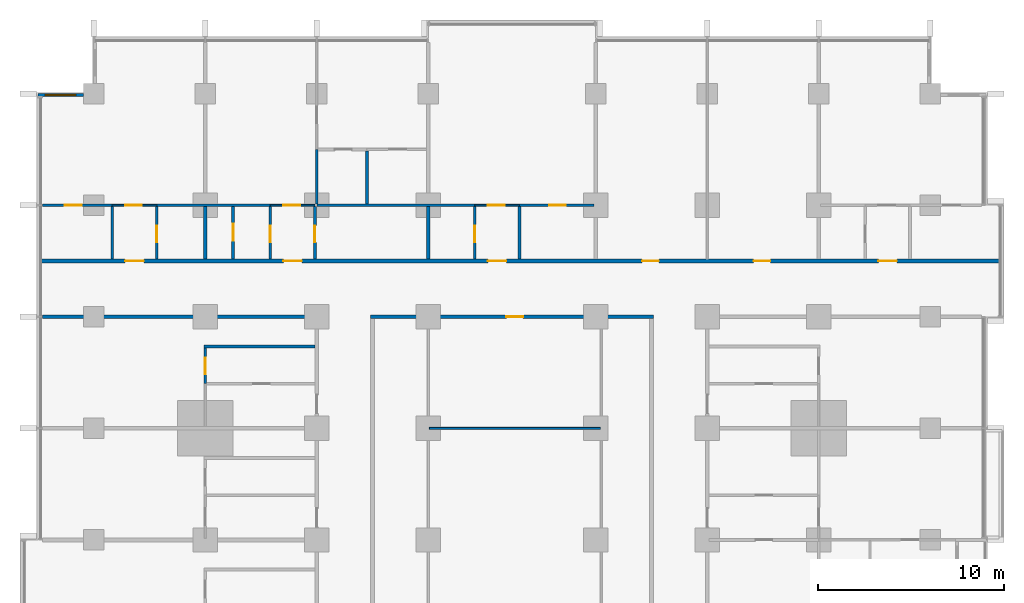
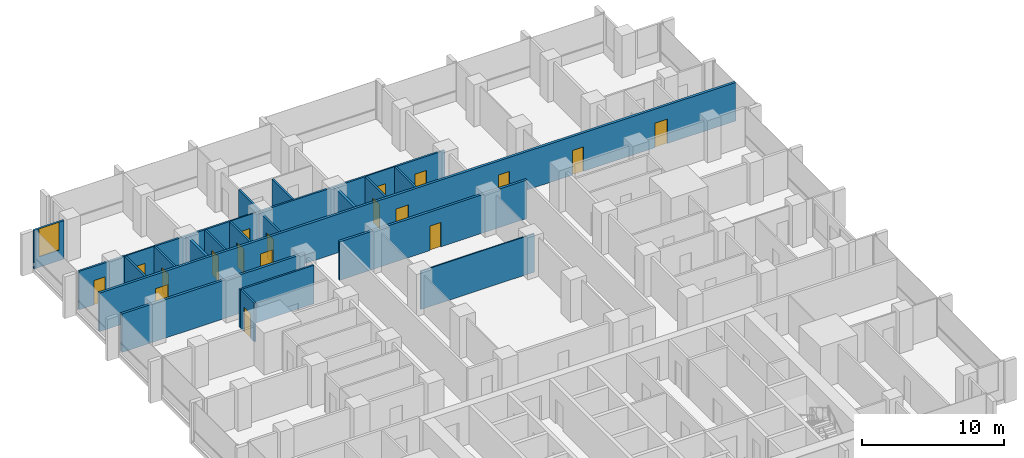
# One storey, part 11 of 17: 25 walls, 18 doors, 1 window, 19 openings.
"""IFC4 building model written with IfcOpenShell, lengths in metres."""

from ifc_helpers import new_model, si_unit, direction, frame, frame_2d, origin, place, context, subcontext, project, spatial, rectangle, extrude, material, layer, layer_set, type_object, element, fill, save


model = new_model("IFC4")

# Units and contexts
model_context = context("Model", 3, precision=1e-05, world=origin(), true_north=direction((0.0, 1.0)))
body_context = subcontext(model_context, "Body", "Model", "MODEL_VIEW")
ifc_project = project(units=[si_unit("LENGTHUNIT", "METRE"), si_unit("AREAUNIT", "SQUARE_METRE"), si_unit("VOLUMEUNIT", "CUBIC_METRE"), si_unit("PLANEANGLEUNIT", "RADIAN"), si_unit("MASSUNIT", "GRAM", prefix="KILO")], contexts=[model_context])

# Site, building, storey
site_placement = place(None, origin())
site = spatial("IfcSite", under=ifc_project, at=site_placement, CompositionType="ELEMENT")
building_placement = place(site_placement, origin())
building = spatial("IfcBuilding", under=site, at=building_placement, Name="Finial Court Residences", CompositionType="ELEMENT")
storey_placement = place(building_placement, frame((0.0, 0.0, 64.89990234375)))
storey = spatial("IfcBuildingStorey", under=building, at=storey_placement, Name="L15", CompositionType="ELEMENT", Elevation=64.89990234375)

# Walls
ifc_material_1 = material(Name="Gypsum board")
ifc_layer_1 = layer(ifc_material_1, 0.02490234375)
ifc_material_2 = material(Name="Acoustic mineral wool in double frame")
ifc_layer_2 = layer(ifc_material_2, 0.14990234375)
ifc_layer_3 = layer(ifc_material_1, 0.02490234375)
ifc_layer_set_1 = layer_set([ifc_layer_1, ifc_layer_2, ifc_layer_3], Name="Acoustic party wall 200, 1 hour")
wall_type_1 = type_object("IfcWallType", Name="Acoustic party wall 200, 1 hour", PredefinedType="PARTITIONING", material=ifc_layer_set_1)
for number, where, z_axis, x_axis, name in (
    (1, (-16.5, 16.60009765625, 0.0), (0.0, 0.0, 1.0), (0.0, 1.0, 0.0), "Partition L15-053"),
    (2, (-4.5, 16.60009765625, 0.0), (0.0, 0.0, 1.0), (0.0, 1.0, 0.0), "Partition L15-069"),
):
    element("IfcWall", number, at=place(storey_placement, frame(where, z_axis=z_axis, x_axis=x_axis)), inside=storey, type_object=wall_type_1, Name=name, PredefinedType="PARTITIONING", context=body_context, shape_type="SweptSolid", body=[
        extrude(rectangle(XDim=2.824951171875, YDim=0.199951171875, at=frame_2d((1.41259765625, 0.0))), origin(), (0.0, 0.0, 1.0), 3.300048828125),
    ])
ifc_layer_4 = layer(ifc_material_1, 0.02490234375)
ifc_layer_5 = layer(ifc_material_2, 0.14990234375)
ifc_layer_6 = layer(ifc_material_1, 0.02490234375)
ifc_layer_set_2 = layer_set([ifc_layer_4, ifc_layer_5, ifc_layer_6], Name="Corridor wall 200, 1 hour")
wall_type_2 = type_object("IfcWallType", Name="Corridor wall 200, 1 hour", PredefinedType="PARTITIONING", material=ifc_layer_set_2)
wall_1_placement = place(storey_placement, frame((-25.25, 13.5, 0.0), z_axis=(0.0, 0.0, 1.0), x_axis=(1.0, 0.0, 0.0)))
element("IfcWall", 3, at=wall_1_placement, inside=storey, type_object=wall_type_2, Name="Partition L15-028", PredefinedType="PARTITIONING", context=body_context, shape_type="SweptSolid", body=[
    extrude(rectangle(XDim=14.85009765625, YDim=0.199951171875, at=frame_2d((7.425048828125, 0.0))), origin(), (0.0, 0.0, 1.0), 3.300048828125),
])

# Wall, opening, door
wall_2_placement = place(storey_placement, frame((-7.60009765625, 13.5, 0.0), z_axis=(0.0, 0.0, 1.0), x_axis=(1.0, 0.0, 0.0)))
wall_2 = element("IfcWall", 4, at=wall_2_placement, inside=storey, type_object=wall_type_2, Name="Partition L15-029", PredefinedType="PARTITIONING", context=body_context, shape_type="SweptSolid", body=[
    extrude(rectangle(XDim=15.2001953125, YDim=0.199951171875, at=frame_2d((7.60009765625, 0.0))), origin(), (0.0, 0.0, 1.0), 3.300048828125),
])
opening_1_placement = place(wall_2_placement, frame((7.300048828125, 0.0, 0.0)))
opening_1 = element("IfcOpeningElement", 5, at=opening_1_placement, cuts=wall_2, Name="Opening L15-D017", PredefinedType="OPENING", context=body_context, shape_type="SweptSolid", body=[
    extrude(rectangle(XDim=0.89990234375, YDim=2.10009765625, at=frame_2d((0.449951171875, 1.050048828125))), frame((0.0, 0.10986328125, 0.0), z_axis=(0.0, -1.0, 0.0), x_axis=(1.0, 0.0, 0.0)), (0.0, 0.0, 1.0), 0.219970703125),
])
ifc_material_3 = material(Name="Timber door leaf in hollow metal frame", Category="wood")
door_type_1 = type_object("IfcDoorType", Name="Fire door set 900 x 2100, 30 minutes", OperationType="SINGLE_SWING_LEFT", PredefinedType="DOOR", material=ifc_material_3)
door_1_placement = place(opening_1_placement, origin())
door_1 = element("IfcDoor", 6, at=door_1_placement, inside=storey, type_object=door_type_1, Name="Door L15-D017", OperationType="SINGLE_SWING_RIGHT", OverallHeight=2.10009765625, OverallWidth=0.89990234375, PredefinedType="DOOR", context=body_context, shape_type="SweptSolid", body=[
    extrude(rectangle(XDim=0.89990234375, YDim=2.10009765625, at=frame_2d((0.449951171875, 1.050048828125))), frame((0.0, 0.02490234375, 0.0), z_axis=(0.0, -1.0, 0.0), x_axis=(1.0, 0.0, 0.0)), (0.0, 0.0, 1.0), 0.050048828125),
])
fill(opening_1, door_1)

# Wall, openings, doors
wall_3_placement = place(storey_placement, frame((-25.35009765625, 16.5, 0.0), z_axis=(0.0, 0.0, 1.0), x_axis=(1.0, 0.0, 0.0)))
wall_3 = element("IfcWall", 7, at=wall_3_placement, inside=storey, type_object=wall_type_2, Name="Partition L15-031", PredefinedType="PARTITIONING", context=body_context, shape_type="SweptSolid", body=[
    extrude(rectangle(XDim=51.60009765625, YDim=0.199951171875, at=frame_2d((25.800048828125, 0.0))), origin(), (0.0, 0.0, 1.0), 3.300048828125),
])
opening_2_placement = place(wall_3_placement, frame((4.550048828125, 0.0, 0.0)))
opening_2 = element("IfcOpeningElement", 8, at=opening_2_placement, cuts=wall_3, Name="Opening L15-D018", PredefinedType="OPENING", context=body_context, shape_type="SweptSolid", body=[
    extrude(rectangle(XDim=1.0, YDim=2.10009765625, at=frame_2d((0.5, 1.050048828125))), frame((0.0, 0.10986328125, 0.0), z_axis=(0.0, -1.0, 0.0), x_axis=(1.0, 0.0, 0.0)), (0.0, 0.0, 1.0), 0.219970703125),
])
opening_3_placement = place(wall_3_placement, frame((13.050048828125, 0.0, 0.0)))
opening_3 = element("IfcOpeningElement", 9, at=opening_3_placement, cuts=wall_3, Name="Opening L15-D019", PredefinedType="OPENING", context=body_context, shape_type="SweptSolid", body=[
    extrude(rectangle(XDim=1.0, YDim=2.10009765625, at=frame_2d((0.5, 1.050048828125))), frame((0.0, 0.10986328125, 0.0), z_axis=(0.0, -1.0, 0.0), x_axis=(1.0, 0.0, 0.0)), (0.0, 0.0, 1.0), 0.219970703125),
])
opening_4_placement = place(wall_3_placement, frame((24.050048828125, 0.0, 0.0)))
opening_4 = element("IfcOpeningElement", 10, at=opening_4_placement, cuts=wall_3, Name="Opening L15-D020", PredefinedType="OPENING", context=body_context, shape_type="SweptSolid", body=[
    extrude(rectangle(XDim=1.0, YDim=2.10009765625, at=frame_2d((0.5, 1.050048828125))), frame((0.0, 0.10986328125, 0.0), z_axis=(0.0, -1.0, 0.0), x_axis=(1.0, 0.0, 0.0)), (0.0, 0.0, 1.0), 0.219970703125),
])
opening_5_placement = place(wall_3_placement, frame((32.35009765625, 0.0, 0.0)))
opening_5 = element("IfcOpeningElement", 11, at=opening_5_placement, cuts=wall_3, Name="Opening L15-D021", PredefinedType="OPENING", context=body_context, shape_type="SweptSolid", body=[
    extrude(rectangle(XDim=0.89990234375, YDim=2.10009765625, at=frame_2d((0.449951171875, 1.050048828125))), frame((0.0, 0.10986328125, 0.0), z_axis=(0.0, -1.0, 0.0), x_axis=(1.0, 0.0, 0.0)), (0.0, 0.0, 1.0), 0.219970703125),
])
opening_6_placement = place(wall_3_placement, frame((38.35009765625, 0.0, 0.0)))
opening_6 = element("IfcOpeningElement", 12, at=opening_6_placement, cuts=wall_3, Name="Opening L15-D022", PredefinedType="OPENING", context=body_context, shape_type="SweptSolid", body=[
    extrude(rectangle(XDim=0.89990234375, YDim=2.10009765625, at=frame_2d((0.449951171875, 1.050048828125))), frame((0.0, 0.10986328125, 0.0), z_axis=(0.0, -1.0, 0.0), x_axis=(1.0, 0.0, 0.0)), (0.0, 0.0, 1.0), 0.219970703125),
])
opening_7_placement = place(wall_3_placement, frame((45.050048828125, 0.0, 0.0)))
opening_7 = element("IfcOpeningElement", 13, at=opening_7_placement, cuts=wall_3, Name="Opening L15-D023", PredefinedType="OPENING", context=body_context, shape_type="SweptSolid", body=[
    extrude(rectangle(XDim=1.0, YDim=2.10009765625, at=frame_2d((0.5, 1.050048828125))), frame((0.0, 0.10986328125, 0.0), z_axis=(0.0, -1.0, 0.0), x_axis=(1.0, 0.0, 0.0)), (0.0, 0.0, 1.0), 0.219970703125),
])
door_type_2 = type_object("IfcDoorType", Name="Fire door set 1000 x 2100, 30 minutes", OperationType="SINGLE_SWING_LEFT", PredefinedType="DOOR", material=ifc_material_3)
door_2_placement = place(opening_2_placement, origin())
door_2 = element("IfcDoor", 14, at=door_2_placement, inside=storey, type_object=door_type_2, Name="Door L15-D018", OperationType="SINGLE_SWING_RIGHT", OverallHeight=2.10009765625, OverallWidth=1.0, PredefinedType="DOOR", context=body_context, shape_type="SweptSolid", body=[
    extrude(rectangle(XDim=1.0, YDim=2.10009765625, at=frame_2d((0.5, 1.050048828125))), frame((0.0, 0.02490234375, 0.0), z_axis=(0.0, -1.0, 0.0), x_axis=(1.0, 0.0, 0.0)), (0.0, 0.0, 1.0), 0.050048828125),
])
fill(opening_2, door_2)
door_3_placement = place(opening_3_placement, origin())
door_3 = element("IfcDoor", 15, at=door_3_placement, inside=storey, type_object=door_type_2, Name="Door L15-D019", OperationType="SINGLE_SWING_RIGHT", OverallHeight=2.10009765625, OverallWidth=1.0, PredefinedType="DOOR", context=body_context, shape_type="SweptSolid", body=[
    extrude(rectangle(XDim=1.0, YDim=2.10009765625, at=frame_2d((0.5, 1.050048828125))), frame((0.0, 0.02490234375, 0.0), z_axis=(0.0, -1.0, 0.0), x_axis=(1.0, 0.0, 0.0)), (0.0, 0.0, 1.0), 0.050048828125),
])
fill(opening_3, door_3)
door_4_placement = place(opening_4_placement, origin())
door_4 = element("IfcDoor", 16, at=door_4_placement, inside=storey, type_object=door_type_2, Name="Door L15-D020", OperationType="SINGLE_SWING_RIGHT", OverallHeight=2.10009765625, OverallWidth=1.0, PredefinedType="DOOR", context=body_context, shape_type="SweptSolid", body=[
    extrude(rectangle(XDim=1.0, YDim=2.10009765625, at=frame_2d((0.5, 1.050048828125))), frame((0.0, 0.02490234375, 0.0), z_axis=(0.0, -1.0, 0.0), x_axis=(1.0, 0.0, 0.0)), (0.0, 0.0, 1.0), 0.050048828125),
])
fill(opening_4, door_4)
door_5_placement = place(opening_7_placement, origin())
door_5 = element("IfcDoor", 17, at=door_5_placement, inside=storey, type_object=door_type_2, Name="Door L15-D023", OperationType="SINGLE_SWING_LEFT", OverallHeight=2.10009765625, OverallWidth=1.0, PredefinedType="DOOR", context=body_context, shape_type="SweptSolid", body=[
    extrude(rectangle(XDim=1.0, YDim=2.10009765625, at=frame_2d((0.5, 1.050048828125))), frame((0.0, 0.02490234375, 0.0), z_axis=(0.0, -1.0, 0.0), x_axis=(1.0, 0.0, 0.0)), (0.0, 0.0, 1.0), 0.050048828125),
])
fill(opening_7, door_5)
door_6_placement = place(opening_5_placement, origin())
door_6 = element("IfcDoor", 18, at=door_6_placement, inside=storey, type_object=door_type_1, Name="Door L15-D021", OperationType="SINGLE_SWING_LEFT", OverallHeight=2.10009765625, OverallWidth=0.89990234375, PredefinedType="DOOR", context=body_context, shape_type="SweptSolid", body=[
    extrude(rectangle(XDim=0.89990234375, YDim=2.10009765625, at=frame_2d((0.449951171875, 1.050048828125))), frame((0.0, 0.02490234375, 0.0), z_axis=(0.0, -1.0, 0.0), x_axis=(1.0, 0.0, 0.0)), (0.0, 0.0, 1.0), 0.050048828125),
])
fill(opening_5, door_6)
door_7_placement = place(opening_6_placement, origin())
door_7 = element("IfcDoor", 19, at=door_7_placement, inside=storey, type_object=door_type_1, Name="Door L15-D022", OperationType="SINGLE_SWING_LEFT", OverallHeight=2.10009765625, OverallWidth=0.89990234375, PredefinedType="DOOR", context=body_context, shape_type="SweptSolid", body=[
    extrude(rectangle(XDim=0.89990234375, YDim=2.10009765625, at=frame_2d((0.449951171875, 1.050048828125))), frame((0.0, 0.02490234375, 0.0), z_axis=(0.0, -1.0, 0.0), x_axis=(1.0, 0.0, 0.0)), (0.0, 0.0, 1.0), 0.050048828125),
])
fill(opening_6, door_7)

# Wall
ifc_layer_7 = layer(ifc_material_1, 0.012451171875)
ifc_material_4 = material(Name="Mineral wool in light-gauge frame")
ifc_layer_8 = layer(ifc_material_4, 0.074951171875)
ifc_layer_9 = layer(ifc_material_1, 0.012451171875)
ifc_layer_set_3 = layer_set([ifc_layer_7, ifc_layer_8, ifc_layer_9], Name="Gypsum board partition 100")
wall_type_3 = type_object("IfcWallType", Name="Gypsum board partition 100", PredefinedType="PARTITIONING", material=ifc_layer_set_3)
wall_4_placement = place(storey_placement, frame((-4.449951171875, 7.5, 0.0), z_axis=(0.0, 0.0, 1.0), x_axis=(1.0, 0.0, 0.0)))
element("IfcWall", 20, at=wall_4_placement, inside=storey, type_object=wall_type_3, Name="Partition L15-021", PredefinedType="PARTITIONING", context=body_context, shape_type="SweptSolid", body=[
    extrude(rectangle(XDim=9.199951171875, YDim=0.10009765625, at=frame_2d((4.60009765625, 0.0))), origin(), (0.0, 0.0, 1.0), 3.300048828125),
])

# Wall, opening, door
wall_5_placement = place(storey_placement, frame((-21.5, 19.5, 0.0), z_axis=(0.0, 0.0, 1.0), x_axis=(1.0, 0.0, 0.0)))
wall_5 = element("IfcWall", 21, at=wall_5_placement, inside=storey, type_object=wall_type_3, Name="Partition L15-032", PredefinedType="PARTITIONING", context=body_context, shape_type="SweptSolid", body=[
    extrude(rectangle(XDim=2.39990234375, YDim=0.10009765625, at=frame_2d((1.199951171875, 0.0))), origin(), (0.0, 0.0, 1.0), 3.300048828125),
])
opening_8_placement = place(wall_5_placement, frame((0.699951171875, 0.0, 0.0)))
opening_8 = element("IfcOpeningElement", 22, at=opening_8_placement, cuts=wall_5, Name="Opening L15-D024", PredefinedType="OPENING", context=body_context, shape_type="SweptSolid", body=[
    extrude(rectangle(XDim=0.89990234375, YDim=2.10009765625, at=frame_2d((0.449951171875, 1.050048828125))), frame((0.0, 0.06005859375, 0.0), z_axis=(0.0, -1.0, 0.0), x_axis=(1.0, 0.0, 0.0)), (0.0, 0.0, 1.0), 0.1201171875),
])
ifc_material_5 = material(Name="Timber door leaf in timber frame", Category="wood")
door_type_3 = type_object("IfcDoorType", Name="Door set 900 x 2100", OperationType="SINGLE_SWING_LEFT", PredefinedType="DOOR", material=ifc_material_5)
door_8_placement = place(opening_8_placement, origin())
door_8 = element("IfcDoor", 23, at=door_8_placement, inside=storey, type_object=door_type_3, Name="Door L15-D024", OperationType="SINGLE_SWING_RIGHT", OverallHeight=2.10009765625, OverallWidth=0.89990234375, PredefinedType="DOOR", context=body_context, shape_type="SweptSolid", body=[
    extrude(rectangle(XDim=0.89990234375, YDim=2.10009765625, at=frame_2d((0.449951171875, 1.050048828125))), frame((0.0, 0.02490234375, 0.0), z_axis=(0.0, -1.0, 0.0), x_axis=(1.0, 0.0, 0.0)), (0.0, 0.0, 1.0), 0.050048828125),
])
fill(opening_8, door_8)

wall_6_placement = place(storey_placement, frame((-13.0, 19.5, 0.0), z_axis=(0.0, 0.0, 1.0), x_axis=(1.0, 0.0, 0.0)))
wall_6 = element("IfcWall", 24, at=wall_6_placement, inside=storey, type_object=wall_type_3, Name="Partition L15-033", PredefinedType="PARTITIONING", context=body_context, shape_type="SweptSolid", body=[
    extrude(rectangle(XDim=2.39990234375, YDim=0.10009765625, at=frame_2d((1.199951171875, 0.0))), origin(), (0.0, 0.0, 1.0), 3.300048828125),
])
opening_9_placement = place(wall_6_placement, frame((0.699951171875, 0.0, 0.0)))
opening_9 = element("IfcOpeningElement", 25, at=opening_9_placement, cuts=wall_6, Name="Opening L15-D025", PredefinedType="OPENING", context=body_context, shape_type="SweptSolid", body=[
    extrude(rectangle(XDim=0.89990234375, YDim=2.10009765625, at=frame_2d((0.449951171875, 1.050048828125))), frame((0.0, 0.06005859375, 0.0), z_axis=(0.0, -1.0, 0.0), x_axis=(1.0, 0.0, 0.0)), (0.0, 0.0, 1.0), 0.1201171875),
])
door_9_placement = place(opening_9_placement, origin())
door_9 = element("IfcDoor", 26, at=door_9_placement, inside=storey, type_object=door_type_3, Name="Door L15-D025", OperationType="SINGLE_SWING_RIGHT", OverallHeight=2.10009765625, OverallWidth=0.89990234375, PredefinedType="DOOR", context=body_context, shape_type="SweptSolid", body=[
    extrude(rectangle(XDim=0.89990234375, YDim=2.10009765625, at=frame_2d((0.449951171875, 1.050048828125))), frame((0.0, 0.02490234375, 0.0), z_axis=(0.0, -1.0, 0.0), x_axis=(1.0, 0.0, 0.0)), (0.0, 0.0, 1.0), 0.050048828125),
])
fill(opening_9, door_9)

wall_7_placement = place(storey_placement, frame((-2.0, 19.5, 0.0), z_axis=(0.0, 0.0, 1.0), x_axis=(1.0, 0.0, 0.0)))
wall_7 = element("IfcWall", 27, at=wall_7_placement, inside=storey, type_object=wall_type_3, Name="Partition L15-034", PredefinedType="PARTITIONING", context=body_context, shape_type="SweptSolid", body=[
    extrude(rectangle(XDim=2.39990234375, YDim=0.10009765625, at=frame_2d((1.199951171875, 0.0))), origin(), (0.0, 0.0, 1.0), 3.300048828125),
])
opening_10_placement = place(wall_7_placement, frame((0.699951171875, 0.0, 0.0)))
opening_10 = element("IfcOpeningElement", 28, at=opening_10_placement, cuts=wall_7, Name="Opening L15-D026", PredefinedType="OPENING", context=body_context, shape_type="SweptSolid", body=[
    extrude(rectangle(XDim=0.89990234375, YDim=2.10009765625, at=frame_2d((0.449951171875, 1.050048828125))), frame((0.0, 0.06005859375, 0.0), z_axis=(0.0, -1.0, 0.0), x_axis=(1.0, 0.0, 0.0)), (0.0, 0.0, 1.0), 0.1201171875),
])
door_10_placement = place(opening_10_placement, origin())
door_10 = element("IfcDoor", 29, at=door_10_placement, inside=storey, type_object=door_type_3, Name="Door L15-D026", OperationType="SINGLE_SWING_RIGHT", OverallHeight=2.10009765625, OverallWidth=0.89990234375, PredefinedType="DOOR", context=body_context, shape_type="SweptSolid", body=[
    extrude(rectangle(XDim=0.89990234375, YDim=2.10009765625, at=frame_2d((0.449951171875, 1.050048828125))), frame((0.0, 0.02490234375, 0.0), z_axis=(0.0, -1.0, 0.0), x_axis=(1.0, 0.0, 0.0)), (0.0, 0.0, 1.0), 0.050048828125),
])
fill(opening_10, door_10)

# Wall
ifc_material_6 = material(Name="Moisture-resistant gypsum board")
ifc_layer_10 = layer(ifc_material_6, 0.012451171875)
ifc_layer_11 = layer(ifc_material_4, 0.125)
ifc_layer_12 = layer(ifc_material_6, 0.012451171875)
ifc_layer_set_4 = layer_set([ifc_layer_10, ifc_layer_11, ifc_layer_12], Name="Gypsum board wet-area partition 150")
wall_type_4 = type_object("IfcWallType", Name="Gypsum board wet-area partition 150", PredefinedType="PARTITIONING", material=ifc_layer_set_4)
wall_8_placement = place(storey_placement, frame((-16.574951171875, 11.89990234375, 0.0), z_axis=(0.0, 0.0, 1.0), x_axis=(1.0, 0.0, 0.0)))
element("IfcWall", 30, at=wall_8_placement, inside=storey, type_object=wall_type_4, Name="Partition L15-026", PredefinedType="PARTITIONING", context=body_context, shape_type="SweptSolid", body=[
    extrude(rectangle(XDim=5.974853515625, YDim=0.14990234375, at=frame_2d((2.9873046875, 0.0))), origin(), (0.0, 0.0, 1.0), 3.300048828125),
])

# Wall, opening, door
wall_9_placement = place(storey_placement, frame((-25.25, 19.5, 0.0), z_axis=(0.0, 0.0, 1.0), x_axis=(1.0, 0.0, 0.0)))
wall_9 = element("IfcWall", 31, at=wall_9_placement, inside=storey, type_object=wall_type_4, Name="Partition L15-036", PredefinedType="PARTITIONING", context=body_context, shape_type="SweptSolid", body=[
    extrude(rectangle(XDim=3.75, YDim=0.14990234375, at=frame_2d((1.875, 0.0))), origin(), (0.0, 0.0, 1.0), 3.300048828125),
])
opening_11_placement = place(wall_9_placement, frame((1.199951171875, 0.0, 0.0)))
opening_11 = element("IfcOpeningElement", 32, at=opening_11_placement, cuts=wall_9, Name="Opening L15-D028", PredefinedType="OPENING", context=body_context, shape_type="SweptSolid", body=[
    extrude(rectangle(XDim=0.89990234375, YDim=2.10009765625, at=frame_2d((0.449951171875, 1.050048828125))), frame((0.0, 0.0849609375, 0.0), z_axis=(0.0, -1.0, 0.0), x_axis=(1.0, 0.0, 0.0)), (0.0, 0.0, 1.0), 0.169921875),
])
door_11_placement = place(opening_11_placement, origin())
door_11 = element("IfcDoor", 33, at=door_11_placement, inside=storey, type_object=door_type_3, Name="Door L15-D028", OperationType="SINGLE_SWING_LEFT", OverallHeight=2.10009765625, OverallWidth=0.89990234375, PredefinedType="DOOR", context=body_context, shape_type="SweptSolid", body=[
    extrude(rectangle(XDim=0.89990234375, YDim=2.10009765625, at=frame_2d((0.449951171875, 1.050048828125))), frame((0.0, 0.02490234375, 0.0), z_axis=(0.0, -1.0, 0.0), x_axis=(1.0, 0.0, 0.0)), (0.0, 0.0, 1.0), 0.050048828125),
])
fill(opening_11, door_11)

# Walls
wall_10_placement = place(storey_placement, frame((-19.10009765625, 19.5, 0.0), z_axis=(0.0, 0.0, 1.0), x_axis=(1.0, 0.0, 0.0)))
element("IfcWall", 34, at=wall_10_placement, inside=storey, type_object=wall_type_4, Name="Partition L15-037", PredefinedType="PARTITIONING", context=body_context, shape_type="SweptSolid", body=[
    extrude(rectangle(XDim=6.10009765625, YDim=0.14990234375, at=frame_2d((3.050048828125, 0.0))), origin(), (0.0, 0.0, 1.0), 3.300048828125),
])
wall_11_placement = place(storey_placement, frame((-10.5, 19.5, 0.0), z_axis=(0.0, 0.0, 1.0), x_axis=(1.0, 0.0, 0.0)))
element("IfcWall", 35, at=wall_11_placement, inside=storey, type_object=wall_type_4, Name="Partition L15-038", PredefinedType="PARTITIONING", context=body_context, shape_type="SweptSolid", body=[
    extrude(rectangle(XDim=8.5, YDim=0.14990234375, at=frame_2d((4.25, 0.0))), origin(), (0.0, 0.0, 1.0), 3.300048828125),
])

# Wall, opening, door
wall_12_placement = place(storey_placement, frame((0.39990234375, 19.5, 0.0), z_axis=(0.0, 0.0, 1.0), x_axis=(1.0, 0.0, 0.0)))
wall_12 = element("IfcWall", 36, at=wall_12_placement, inside=storey, type_object=wall_type_4, Name="Partition L15-039", PredefinedType="PARTITIONING", context=body_context, shape_type="SweptSolid", body=[
    extrude(rectangle(XDim=4.0, YDim=0.14990234375, at=frame_2d((2.0, 0.0))), origin(), (0.0, 0.0, 1.0), 3.300048828125),
])
opening_12_placement = place(wall_12_placement, frame((1.60009765625, 0.0, 0.0)))
opening_12 = element("IfcOpeningElement", 37, at=opening_12_placement, cuts=wall_12, Name="Opening L15-D029", PredefinedType="OPENING", context=body_context, shape_type="SweptSolid", body=[
    extrude(rectangle(XDim=0.89990234375, YDim=2.10009765625, at=frame_2d((0.449951171875, 1.050048828125))), frame((0.0, 0.0849609375, 0.0), z_axis=(0.0, -1.0, 0.0), x_axis=(1.0, 0.0, 0.0)), (0.0, 0.0, 1.0), 0.169921875),
])
door_12_placement = place(opening_12_placement, origin())
door_12 = element("IfcDoor", 38, at=door_12_placement, inside=storey, type_object=door_type_3, Name="Door L15-D029", OperationType="SINGLE_SWING_LEFT", OverallHeight=2.10009765625, OverallWidth=0.89990234375, PredefinedType="DOOR", context=body_context, shape_type="SweptSolid", body=[
    extrude(rectangle(XDim=0.89990234375, YDim=2.10009765625, at=frame_2d((0.449951171875, 1.050048828125))), frame((0.0, 0.02490234375, 0.0), z_axis=(0.0, -1.0, 0.0), x_axis=(1.0, 0.0, 0.0)), (0.0, 0.0, 1.0), 0.050048828125),
])
fill(opening_12, door_12)

# Wall
wall_13_placement = place(storey_placement, frame((-21.5, 16.60009765625, 0.0), z_axis=(0.0, 0.0, 1.0), x_axis=(0.0, 1.0, 0.0)))
element("IfcWall", 39, at=wall_13_placement, inside=storey, type_object=wall_type_4, Name="Partition L15-044", PredefinedType="PARTITIONING", context=body_context, shape_type="SweptSolid", body=[
    extrude(rectangle(XDim=2.824951171875, YDim=0.14990234375, at=frame_2d((1.41259765625, 0.0))), origin(), (0.0, 0.0, 1.0), 3.300048828125),
])

# Wall, opening, door
wall_14_placement = place(storey_placement, frame((-19.10009765625, 16.60009765625, 0.0), z_axis=(0.0, 0.0, 1.0), x_axis=(0.0, 1.0, 0.0)))
wall_14 = element("IfcWall", 40, at=wall_14_placement, inside=storey, type_object=wall_type_4, Name="Partition L15-048", PredefinedType="PARTITIONING", context=body_context, shape_type="SweptSolid", body=[
    extrude(rectangle(XDim=2.824951171875, YDim=0.14990234375, at=frame_2d((1.41259765625, 0.0))), origin(), (0.0, 0.0, 1.0), 3.300048828125),
])
opening_13_placement = place(wall_14_placement, frame((0.89990234375, 0.0, 0.0)))
opening_13 = element("IfcOpeningElement", 41, at=opening_13_placement, cuts=wall_14, Name="Opening L15-D036", PredefinedType="OPENING", context=body_context, shape_type="SweptSolid", body=[
    extrude(rectangle(XDim=0.89990234375, YDim=2.10009765625, at=frame_2d((0.449951171875, 1.050048828125))), frame((0.0, 0.0849609375, 0.0), z_axis=(0.0, -1.0, 0.0), x_axis=(1.0, 0.0, 0.0)), (0.0, 0.0, 1.0), 0.169921875),
])
door_13_placement = place(opening_13_placement, origin())
door_13 = element("IfcDoor", 42, at=door_13_placement, inside=storey, type_object=door_type_3, Name="Door L15-D036", OperationType="SINGLE_SWING_LEFT", OverallHeight=2.10009765625, OverallWidth=0.89990234375, PredefinedType="DOOR", context=body_context, shape_type="SweptSolid", body=[
    extrude(rectangle(XDim=0.89990234375, YDim=2.10009765625, at=frame_2d((0.449951171875, 1.050048828125))), frame((0.0, 0.02490234375, 0.0), z_axis=(0.0, -1.0, 0.0), x_axis=(1.0, 0.0, 0.0)), (0.0, 0.0, 1.0), 0.050048828125),
])
fill(opening_13, door_13)

wall_15_placement = place(storey_placement, frame((-16.5, 9.89990234375, 0.0), z_axis=(0.0, 0.0, 1.0), x_axis=(0.0, 1.0, 0.0)))
wall_15 = element("IfcWall", 43, at=wall_15_placement, inside=storey, type_object=wall_type_4, Name="Partition L15-059", PredefinedType="PARTITIONING", context=body_context, shape_type="SweptSolid", body=[
    extrude(rectangle(XDim=1.925048828125, YDim=0.14990234375, at=frame_2d((0.96240234375, 0.0))), origin(), (0.0, 0.0, 1.0), 3.300048828125),
])
opening_14_placement = place(wall_15_placement, frame((0.5, 0.0, 0.0)))
opening_14 = element("IfcOpeningElement", 44, at=opening_14_placement, cuts=wall_15, Name="Opening L15-D042", PredefinedType="OPENING", context=body_context, shape_type="SweptSolid", body=[
    extrude(rectangle(XDim=0.89990234375, YDim=2.10009765625, at=frame_2d((0.449951171875, 1.050048828125))), frame((0.0, 0.0849609375, 0.0), z_axis=(0.0, -1.0, 0.0), x_axis=(1.0, 0.0, 0.0)), (0.0, 0.0, 1.0), 0.169921875),
])
door_14_placement = place(opening_14_placement, origin())
door_14 = element("IfcDoor", 45, at=door_14_placement, inside=storey, type_object=door_type_3, Name="Door L15-D042", OperationType="SINGLE_SWING_LEFT", OverallHeight=2.10009765625, OverallWidth=0.89990234375, PredefinedType="DOOR", context=body_context, shape_type="SweptSolid", body=[
    extrude(rectangle(XDim=0.89990234375, YDim=2.10009765625, at=frame_2d((0.449951171875, 1.050048828125))), frame((0.0, 0.02490234375, 0.0), z_axis=(0.0, -1.0, 0.0), x_axis=(1.0, 0.0, 0.0)), (0.0, 0.0, 1.0), 0.050048828125),
])
fill(opening_14, door_14)

wall_16_placement = place(storey_placement, frame((-15.0, 16.60009765625, 0.0), z_axis=(0.0, 0.0, 1.0), x_axis=(0.0, 1.0, 0.0)))
wall_16 = element("IfcWall", 46, at=wall_16_placement, inside=storey, type_object=wall_type_4, Name="Partition L15-060", PredefinedType="PARTITIONING", context=body_context, shape_type="SweptSolid", body=[
    extrude(rectangle(XDim=2.824951171875, YDim=0.14990234375, at=frame_2d((1.41259765625, 0.0))), origin(), (0.0, 0.0, 1.0), 3.300048828125),
])
opening_15_placement = place(wall_16_placement, frame((1.0, 0.0, 0.0)))
opening_15 = element("IfcOpeningElement", 47, at=opening_15_placement, cuts=wall_16, Name="Opening L15-D043", PredefinedType="OPENING", context=body_context, shape_type="SweptSolid", body=[
    extrude(rectangle(XDim=0.89990234375, YDim=2.10009765625, at=frame_2d((0.449951171875, 1.050048828125))), frame((0.0, 0.0849609375, 0.0), z_axis=(0.0, -1.0, 0.0), x_axis=(1.0, 0.0, 0.0)), (0.0, 0.0, 1.0), 0.169921875),
])
door_15_placement = place(opening_15_placement, origin())
door_15 = element("IfcDoor", 48, at=door_15_placement, inside=storey, type_object=door_type_3, Name="Door L15-D043", OperationType="SINGLE_SWING_LEFT", OverallHeight=2.10009765625, OverallWidth=0.89990234375, PredefinedType="DOOR", context=body_context, shape_type="SweptSolid", body=[
    extrude(rectangle(XDim=0.89990234375, YDim=2.10009765625, at=frame_2d((0.449951171875, 1.050048828125))), frame((0.0, 0.02490234375, 0.0), z_axis=(0.0, -1.0, 0.0), x_axis=(1.0, 0.0, 0.0)), (0.0, 0.0, 1.0), 0.050048828125),
])
fill(opening_15, door_15)

wall_17_placement = place(storey_placement, frame((-13.0, 16.60009765625, 0.0), z_axis=(0.0, 0.0, 1.0), x_axis=(0.0, 1.0, 0.0)))
wall_17 = element("IfcWall", 49, at=wall_17_placement, inside=storey, type_object=wall_type_4, Name="Partition L15-061", PredefinedType="PARTITIONING", context=body_context, shape_type="SweptSolid", body=[
    extrude(rectangle(XDim=2.824951171875, YDim=0.14990234375, at=frame_2d((1.41259765625, 0.0))), origin(), (0.0, 0.0, 1.0), 3.300048828125),
])
opening_16_placement = place(wall_17_placement, frame((0.89990234375, 0.0, 0.0)))
opening_16 = element("IfcOpeningElement", 50, at=opening_16_placement, cuts=wall_17, Name="Opening L15-D044", PredefinedType="OPENING", context=body_context, shape_type="SweptSolid", body=[
    extrude(rectangle(XDim=0.89990234375, YDim=2.10009765625, at=frame_2d((0.449951171875, 1.050048828125))), frame((0.0, 0.0849609375, 0.0), z_axis=(0.0, -1.0, 0.0), x_axis=(1.0, 0.0, 0.0)), (0.0, 0.0, 1.0), 0.169921875),
])
door_16_placement = place(opening_16_placement, origin())
door_16 = element("IfcDoor", 51, at=door_16_placement, inside=storey, type_object=door_type_3, Name="Door L15-D044", OperationType="SINGLE_SWING_LEFT", OverallHeight=2.10009765625, OverallWidth=0.89990234375, PredefinedType="DOOR", context=body_context, shape_type="SweptSolid", body=[
    extrude(rectangle(XDim=0.89990234375, YDim=2.10009765625, at=frame_2d((0.449951171875, 1.050048828125))), frame((0.0, 0.02490234375, 0.0), z_axis=(0.0, -1.0, 0.0), x_axis=(1.0, 0.0, 0.0)), (0.0, 0.0, 1.0), 0.050048828125),
])
fill(opening_16, door_16)

wall_18_placement = place(storey_placement, frame((-10.60009765625, 16.60009765625, 0.0), z_axis=(0.0, 0.0, 1.0), x_axis=(0.0, 1.0, 0.0)))
wall_18 = element("IfcWall", 52, at=wall_18_placement, inside=storey, type_object=wall_type_4, Name="Partition L15-062", PredefinedType="PARTITIONING", context=body_context, shape_type="SweptSolid", body=[
    extrude(rectangle(XDim=2.824951171875, YDim=0.14990234375, at=frame_2d((1.41259765625, 0.0))), origin(), (0.0, 0.0, 1.0), 3.300048828125),
])
opening_17_placement = place(wall_18_placement, frame((0.89990234375, 0.0, 0.0)))
opening_17 = element("IfcOpeningElement", 53, at=opening_17_placement, cuts=wall_18, Name="Opening L15-D045", PredefinedType="OPENING", context=body_context, shape_type="SweptSolid", body=[
    extrude(rectangle(XDim=0.89990234375, YDim=2.10009765625, at=frame_2d((0.449951171875, 1.050048828125))), frame((0.0, 0.0849609375, 0.0), z_axis=(0.0, -1.0, 0.0), x_axis=(1.0, 0.0, 0.0)), (0.0, 0.0, 1.0), 0.169921875),
])
door_17_placement = place(opening_17_placement, origin())
door_17 = element("IfcDoor", 54, at=door_17_placement, inside=storey, type_object=door_type_3, Name="Door L15-D045", OperationType="SINGLE_SWING_LEFT", OverallHeight=2.10009765625, OverallWidth=0.89990234375, PredefinedType="DOOR", context=body_context, shape_type="SweptSolid", body=[
    extrude(rectangle(XDim=0.89990234375, YDim=2.10009765625, at=frame_2d((0.449951171875, 1.050048828125))), frame((0.0, 0.02490234375, 0.0), z_axis=(0.0, -1.0, 0.0), x_axis=(1.0, 0.0, 0.0)), (0.0, 0.0, 1.0), 0.050048828125),
])
fill(opening_17, door_17)

# Walls
wall_19_placement = place(storey_placement, frame((-10.5, 19.574951171875, 0.0), z_axis=(0.0, 0.0, 1.0), x_axis=(0.0, 1.0, 0.0)))
element("IfcWall", 55, at=wall_19_placement, inside=storey, type_object=wall_type_4, Name="Partition L15-065", PredefinedType="PARTITIONING", context=body_context, shape_type="SweptSolid", body=[
    extrude(rectangle(XDim=2.925048828125, YDim=0.14990234375, at=frame_2d((1.46240234375, 0.0))), origin(), (0.0, 0.0, 1.0), 3.300048828125),
])
wall_20_placement = place(storey_placement, frame((-7.800048828125, 19.574951171875, 0.0), z_axis=(0.0, 0.0, 1.0), x_axis=(0.0, 1.0, 0.0)))
element("IfcWall", 56, at=wall_20_placement, inside=storey, type_object=wall_type_4, Name="Partition L15-066", PredefinedType="PARTITIONING", context=body_context, shape_type="SweptSolid", body=[
    extrude(rectangle(XDim=2.85009765625, YDim=0.14990234375, at=frame_2d((1.425048828125, 0.0))), origin(), (0.0, 0.0, 1.0), 3.300048828125),
])

# Wall, opening, door
wall_21_placement = place(storey_placement, frame((-2.0, 16.60009765625, 0.0), z_axis=(0.0, 0.0, 1.0), x_axis=(0.0, 1.0, 0.0)))
wall_21 = element("IfcWall", 57, at=wall_21_placement, inside=storey, type_object=wall_type_4, Name="Partition L15-071", PredefinedType="PARTITIONING", context=body_context, shape_type="SweptSolid", body=[
    extrude(rectangle(XDim=2.824951171875, YDim=0.14990234375, at=frame_2d((1.41259765625, 0.0))), origin(), (0.0, 0.0, 1.0), 3.300048828125),
])
opening_18_placement = place(wall_21_placement, frame((0.89990234375, 0.0, 0.0)))
opening_18 = element("IfcOpeningElement", 58, at=opening_18_placement, cuts=wall_21, Name="Opening L15-D049", PredefinedType="OPENING", context=body_context, shape_type="SweptSolid", body=[
    extrude(rectangle(XDim=0.89990234375, YDim=2.10009765625, at=frame_2d((0.449951171875, 1.050048828125))), frame((0.0, 0.0849609375, 0.0), z_axis=(0.0, -1.0, 0.0), x_axis=(1.0, 0.0, 0.0)), (0.0, 0.0, 1.0), 0.169921875),
])
door_18_placement = place(opening_18_placement, origin())
door_18 = element("IfcDoor", 59, at=door_18_placement, inside=storey, type_object=door_type_3, Name="Door L15-D049", OperationType="SINGLE_SWING_LEFT", OverallHeight=2.10009765625, OverallWidth=0.89990234375, PredefinedType="DOOR", context=body_context, shape_type="SweptSolid", body=[
    extrude(rectangle(XDim=0.89990234375, YDim=2.10009765625, at=frame_2d((0.449951171875, 1.050048828125))), frame((0.0, 0.02490234375, 0.0), z_axis=(0.0, -1.0, 0.0), x_axis=(1.0, 0.0, 0.0)), (0.0, 0.0, 1.0), 0.050048828125),
])
fill(opening_18, door_18)

# Wall
wall_22_placement = place(storey_placement, frame((0.39990234375, 16.60009765625, 0.0), z_axis=(0.0, 0.0, 1.0), x_axis=(0.0, 1.0, 0.0)))
element("IfcWall", 60, at=wall_22_placement, inside=storey, type_object=wall_type_4, Name="Partition L15-072", PredefinedType="PARTITIONING", context=body_context, shape_type="SweptSolid", body=[
    extrude(rectangle(XDim=2.824951171875, YDim=0.14990234375, at=frame_2d((1.41259765625, 0.0))), origin(), (0.0, 0.0, 1.0), 3.300048828125),
])

# Wall, opening, window
ifc_material_7 = material(Name="Natural limestone", Category="masonry")
ifc_layer_13 = layer(ifc_material_7, 0.14990234375)
ifc_layer_set_5 = layer_set([ifc_layer_13], Name="Limestone clad wall 150")
wall_type_5 = type_object("IfcWallType", Name="Limestone clad wall 150", PredefinedType="SOLIDWALL", material=ifc_layer_set_5)
wall_23_placement = place(storey_placement, frame((-25.5, 25.425048828125, 0.0), z_axis=(0.0, 0.0, 1.0), x_axis=(1.0, 0.0, 0.0)))
wall_23 = element("IfcWall", 61, at=wall_23_placement, inside=storey, type_object=wall_type_5, Name="E-L15-NWN18", PredefinedType="SOLIDWALL", context=body_context, shape_type="SweptSolid", body=[
    extrude(rectangle(XDim=2.449951171875, YDim=0.14990234375, at=frame_2d((1.22509765625, 0.0))), origin(), (0.0, 0.0, 1.0), 3.300048828125),
])
opening_19_placement = place(wall_23_placement, frame((0.39990234375, 0.0, 0.89990234375)))
opening_19 = element("IfcOpeningElement", 62, at=opening_19_placement, cuts=wall_23, Name="Opening WE15-06", PredefinedType="OPENING", context=body_context, shape_type="SweptSolid", body=[
    extrude(rectangle(XDim=1.64990234375, YDim=2.39990234375, at=frame_2d((0.824951171875, 1.199951171875))), frame((0.0, 0.0849609375, 0.0), z_axis=(0.0, -1.0, 0.0), x_axis=(1.0, 0.0, 0.0)), (0.0, 0.0, 1.0), 0.169921875),
])
ifc_material_8 = material(Name="Clear low-e glass", Category="glass")
window_type = type_object("IfcWindowType", Name="Corner window 1650 x 2400", PartitioningType="SINGLE_PANEL", PredefinedType="WINDOW", material=ifc_material_8)
window_placement = place(opening_19_placement, origin())
window = element("IfcWindow", 63, at=window_placement, inside=storey, type_object=window_type, Name="E-L15-NWN18-W1", OverallHeight=2.39990234375, OverallWidth=1.64990234375, PartitioningType="SINGLE_PANEL", PredefinedType="WINDOW", context=body_context, shape_type="SweptSolid", body=[
    extrude(rectangle(XDim=1.64990234375, YDim=2.39990234375, at=frame_2d((0.824951171875, 1.199951171875))), frame((0.0, 0.030029296875, 0.0), z_axis=(0.0, -1.0, 0.0), x_axis=(1.0, 0.0, 0.0)), (0.0, 0.0, 1.0), 0.06005859375),
])
fill(opening_19, window)

save(model, "model.ifc")
